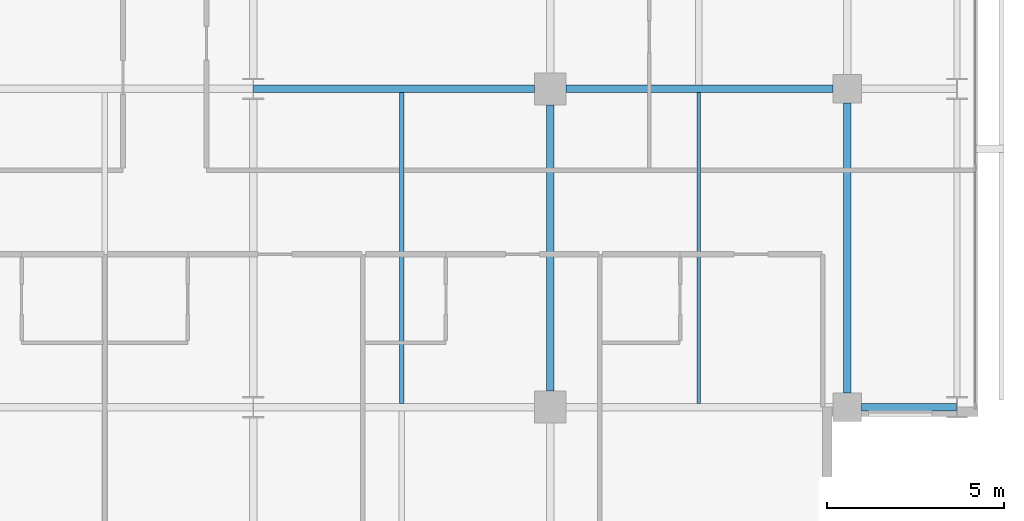
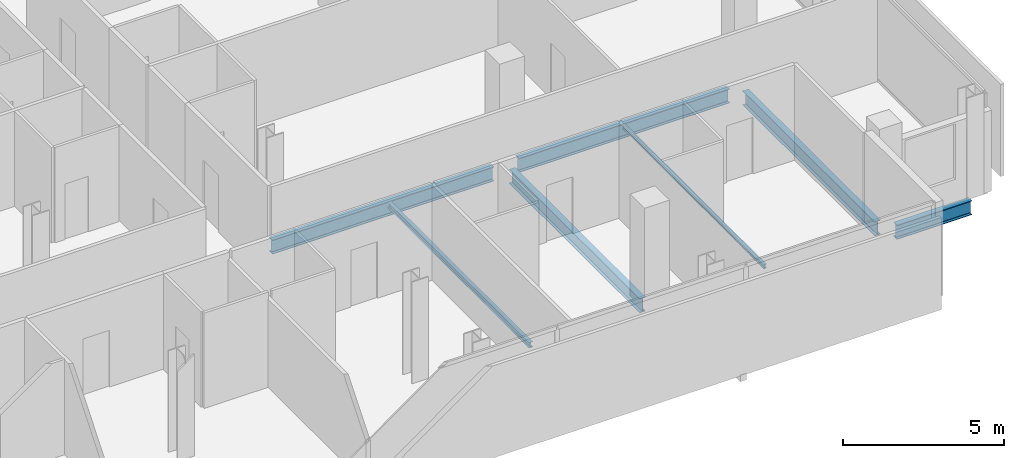
# One storey, part 14 of 33: 7 beams.
"""IFC4 building model written with IfcOpenShell, lengths in metres."""

from ifc_helpers import new_model, si_unit, direction, frame, origin, origin_2d, place, context, subcontext, project, spatial, i_section, extrude, material, material_profile, profile_set, type_object, element, save


model = new_model("IFC4")

# Units and contexts
model_context = context("Model", 3, precision=1e-05, world=origin(), true_north=direction((0.0, 1.0)))
body_context = subcontext(model_context, "Body", "Model", "MODEL_VIEW")
ifc_project = project(units=[si_unit("LENGTHUNIT", "METRE"), si_unit("AREAUNIT", "SQUARE_METRE"), si_unit("VOLUMEUNIT", "CUBIC_METRE"), si_unit("PLANEANGLEUNIT", "RADIAN"), si_unit("MASSUNIT", "GRAM", prefix="KILO")], contexts=[model_context])

# Site, building, storey
site_placement = place(None, origin())
site = spatial("IfcSite", under=ifc_project, at=site_placement, CompositionType="ELEMENT")
building_placement = place(site_placement, origin())
building = spatial("IfcBuilding", under=site, at=building_placement, Name="Maruvema Waterfront Hotel and Observation Tower", CompositionType="ELEMENT")
storey_placement = place(building_placement, frame((0.0, 0.0, 196.699951171875)))
storey = spatial("IfcBuildingStorey", under=building, at=storey_placement, Name="L48", CompositionType="ELEMENT", Elevation=196.699951171875)

# Beams
ifc_material_1 = material(Name="Steel ASTM A572 Grade 50", Category="steel")
ifc_material_profile_1 = material_profile(ifc_material_1, i_section(OverallWidth=0.2109375, OverallDepth=0.5390625, WebThickness=0.01171875, FlangeThickness=0.018798828125, FilletRadius=0.014892578125, at=origin_2d()), Name="W530x109.0")
ifc_profile_set_1 = profile_set([ifc_material_profile_1], Name="Steel ASTM A572 Grade 50")
beam_type_1 = type_object("IfcBeamType", Name="Primary Floor Girder W530x109.0", PredefinedType="BEAM", material=ifc_profile_set_1)
beam_1_placement = place(storey_placement, frame((59.199951171875, 9.0, -0.509521484375), z_axis=(1.0, 0.0, 0.0), x_axis=(0.0, 1.0, 0.0)))
element("IfcBeam", 1, at=beam_1_placement, inside=storey, type_object=beam_type_1, Name="L48 Floor Girder EW-10", PredefinedType="BEAM", context=body_context, shape_type="SweptSolid", body=[
    extrude(i_section(OverallWidth=0.2109375, OverallDepth=0.5390625, WebThickness=0.01171875, FlangeThickness=0.018798828125, FilletRadius=0.014892578125, at=origin_2d()), origin(), (0.0, 0.0, 1.0), 2.6875),
])
beam_2_placement = place(storey_placement, frame((42.012451171875, 18.0, -0.509521484375), z_axis=(1.0, 0.0, 0.0), x_axis=(0.0, 1.0, 0.0)))
element("IfcBeam", 2, at=beam_2_placement, inside=storey, type_object=beam_type_1, Name="L48 Floor Girder EW-15", PredefinedType="BEAM", context=body_context, shape_type="SweptSolid", body=[
    extrude(i_section(OverallWidth=0.2109375, OverallDepth=0.5390625, WebThickness=0.01171875, FlangeThickness=0.018798828125, FilletRadius=0.014892578125, at=origin_2d()), origin(), (0.0, 0.0, 1.0), 7.9375),
])
beam_3_placement = place(storey_placement, frame((50.85009765625, 18.0, -0.509521484375), z_axis=(1.0, 0.0, 0.0), x_axis=(0.0, 1.0, 0.0)))
element("IfcBeam", 3, at=beam_3_placement, inside=storey, type_object=beam_type_1, Name="L48 Floor Girder EW-16", PredefinedType="BEAM", context=body_context, shape_type="SweptSolid", body=[
    extrude(i_section(OverallWidth=0.2109375, OverallDepth=0.5390625, WebThickness=0.01171875, FlangeThickness=0.018798828125, FilletRadius=0.014892578125, at=origin_2d()), origin(), (0.0, 0.0, 1.0), 7.5498046875),
])
beam_4_placement = place(storey_placement, frame((50.39990234375, 9.449951171875, -0.509521484375), z_axis=(0.0, 1.0, 0.0), x_axis=(-1.0, 0.0, 0.0)))
element("IfcBeam", 4, at=beam_4_placement, inside=storey, type_object=beam_type_1, Name="L48 Floor Girder NS-21", PredefinedType="BEAM", context=body_context, shape_type="SweptSolid", body=[
    extrude(i_section(OverallWidth=0.2109375, OverallDepth=0.5390625, WebThickness=0.01171875, FlangeThickness=0.018798828125, FilletRadius=0.014892578125, at=origin_2d()), origin(), (0.0, 0.0, 1.0), 8.10009765625),
])
beam_5_placement = place(storey_placement, frame((58.800048828125, 9.39990234375, -0.509521484375), z_axis=(0.0, 1.0, 0.0), x_axis=(-1.0, 0.0, 0.0)))
element("IfcBeam", 5, at=beam_5_placement, inside=storey, type_object=beam_type_1, Name="L48 Floor Girder NS-25", PredefinedType="BEAM", context=body_context, shape_type="SweptSolid", body=[
    extrude(i_section(OverallWidth=0.2109375, OverallDepth=0.5390625, WebThickness=0.01171875, FlangeThickness=0.018798828125, FilletRadius=0.014892578125, at=origin_2d()), origin(), (0.0, 0.0, 1.0), 8.2001953125),
])
ifc_material_2 = material(Name="Steel ASTM A572 Grade 50", Category="steel")
ifc_material_profile_2 = material_profile(ifc_material_2, i_section(OverallWidth=0.10009765625, OverallDepth=0.153076171875, WebThickness=0.005859375, FlangeThickness=0.007080078125, FilletRadius=0.008056640625, at=origin_2d()), Name="W150x18.0")
ifc_profile_set_2 = profile_set([ifc_material_profile_2], Name="Steel ASTM A572 Grade 50")
beam_type_2 = type_object("IfcBeamType", Name="Secondary Floor Joist W150x18.0", PredefinedType="JOIST", material=ifc_profile_set_2)
beam_6_placement = place(storey_placement, frame((54.60009765625, 9.10546875, -0.31640625), z_axis=(0.0, 1.0, 0.0), x_axis=(-1.0, 0.0, 0.0)))
element("IfcBeam", 6, at=beam_6_placement, inside=storey, type_object=beam_type_2, Name="L48 Secondary Floor Joist JS-11", PredefinedType="JOIST", context=body_context, shape_type="SweptSolid", body=[
    extrude(i_section(OverallWidth=0.10009765625, OverallDepth=0.153076171875, WebThickness=0.005859375, FlangeThickness=0.007080078125, FilletRadius=0.008056640625, at=origin_2d()), origin(), (0.0, 0.0, 1.0), 8.7890625),
])
ifc_material_3 = material(Name="Steel ASTM A572 Grade 50", Category="steel")
ifc_material_profile_3 = material_profile(ifc_material_3, i_section(OverallWidth=0.133056640625, OverallDepth=0.20703125, WebThickness=0.005859375, FlangeThickness=0.00830078125, FilletRadius=0.010009765625, at=origin_2d()), Name="W200x26.6")
ifc_profile_set_3 = profile_set([ifc_material_profile_3], Name="Steel ASTM A572 Grade 50")
beam_type_3 = type_object("IfcBeamType", Name="Secondary Floor Joist W200x26.6", PredefinedType="JOIST", material=ifc_profile_set_3)
beam_7_placement = place(storey_placement, frame((46.199951171875, 9.10546875, -0.343505859375), z_axis=(0.0, 1.0, 0.0), x_axis=(-1.0, 0.0, 0.0)))
element("IfcBeam", 7, at=beam_7_placement, inside=storey, type_object=beam_type_3, Name="L48 Secondary Floor Joist JS-10", PredefinedType="JOIST", context=body_context, shape_type="SweptSolid", body=[
    extrude(i_section(OverallWidth=0.133056640625, OverallDepth=0.20703125, WebThickness=0.005859375, FlangeThickness=0.00830078125, FilletRadius=0.010009765625, at=origin_2d()), origin(), (0.0, 0.0, 1.0), 8.7890625),
])

save(model, "model.ifc")
